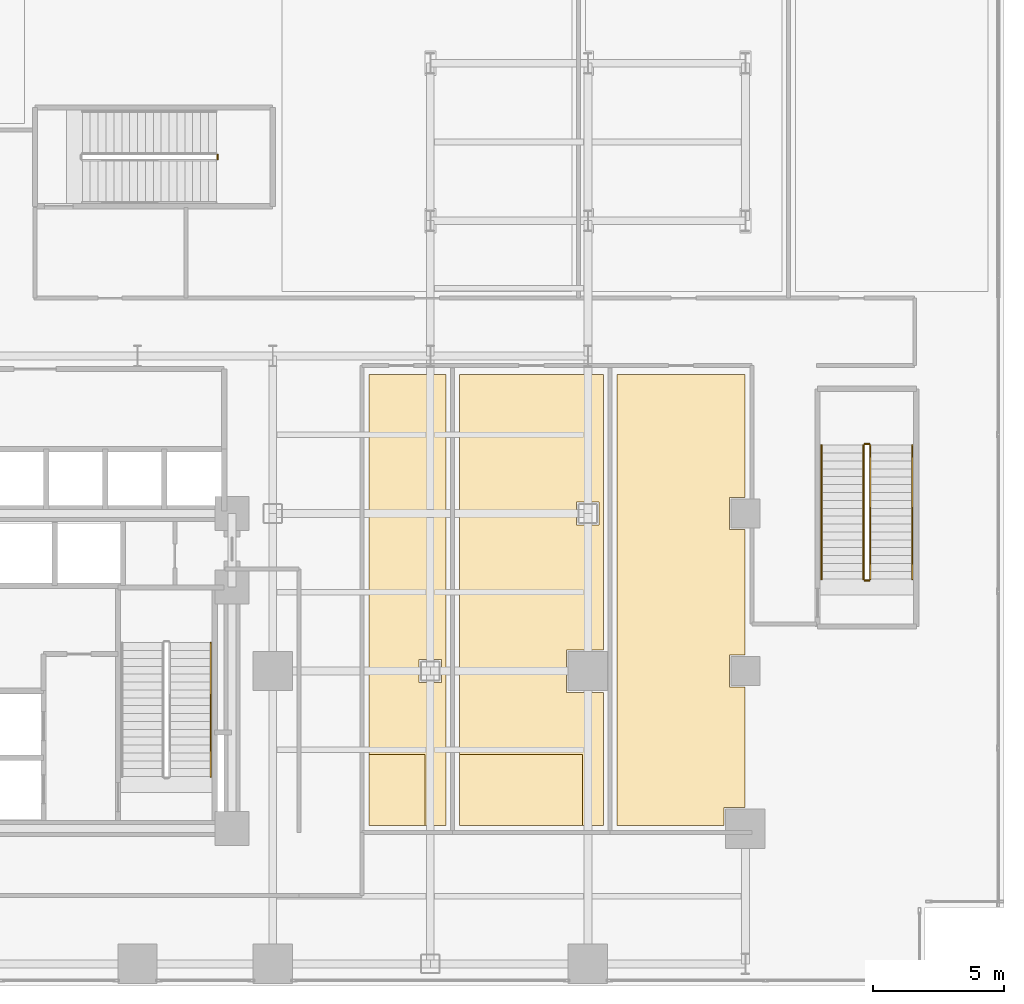
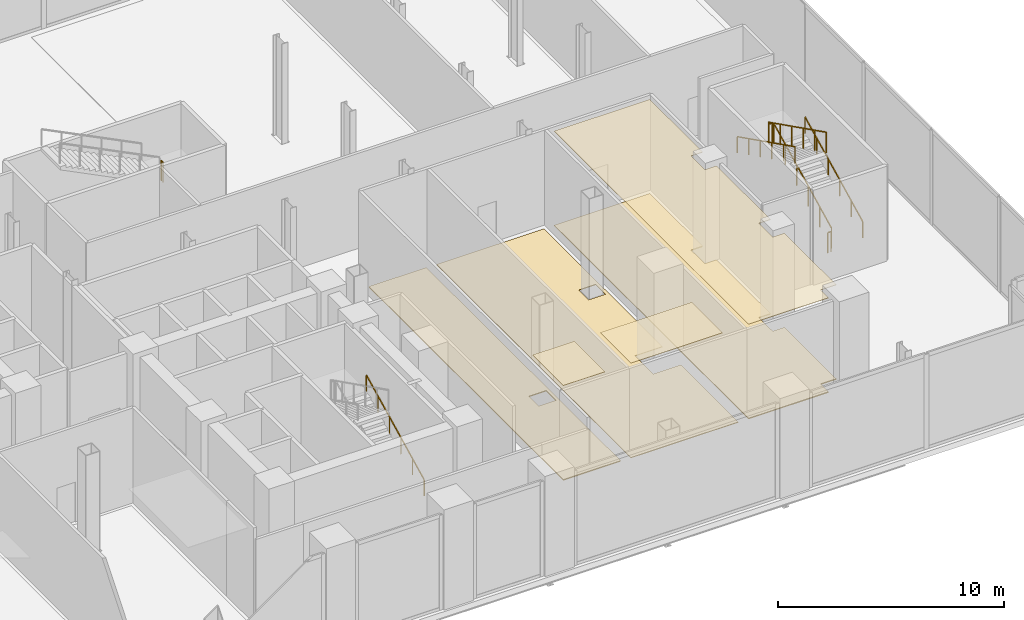
# One storey, part 26 of 27: 8 railings, 6 coverings.
"""IFC4 building model written with IfcOpenShell, lengths in metres."""

from ifc_helpers import new_model, si_unit, direction, frame, origin, origin_2d, place, context, subcontext, project, spatial, polyline, rectangle, outline, extrude, material, layer, layer_set, type_object, element, save


model = new_model("IFC4")

# Units and contexts
model_context = context("Model", 3, precision=1e-05, world=origin(), true_north=direction((0.0, 1.0)))
body_context = subcontext(model_context, "Body", "Model", "MODEL_VIEW")
ifc_project = project(units=[si_unit("LENGTHUNIT", "METRE"), si_unit("AREAUNIT", "SQUARE_METRE"), si_unit("VOLUMEUNIT", "CUBIC_METRE"), si_unit("PLANEANGLEUNIT", "RADIAN"), si_unit("MASSUNIT", "GRAM", prefix="KILO"), si_unit("THERMODYNAMICTEMPERATUREUNIT", "KELVIN"), si_unit("POWERUNIT", "WATT")], contexts=[model_context])

# Site, building, storey
site_placement = place(None, origin())
site = spatial("IfcSite", under=ifc_project, at=site_placement, CompositionType="ELEMENT")
building_placement = place(site_placement, origin())
building = spatial("IfcBuilding", under=site, at=building_placement, Name="Svarakhadi Broadcast Tower", CompositionType="ELEMENT")
storey_placement = place(building_placement, frame((0.0, 0.0, 16.5)))
storey = spatial("IfcBuildingStorey", under=building, at=storey_placement, Name="L03", CompositionType="ELEMENT", Elevation=16.5)

# Coverings
ifc_material_1 = material(Name="Micro-Perforated Mineral Fibre Acoustic Ceiling Tile", Category="mineral_fibre")
ifc_layer_1 = layer(ifc_material_1, 0.02490234375)
ifc_layer_set_1 = layer_set([ifc_layer_1], Name="Micro-Perforated Mineral Fibre Acoustic Ceiling Tile")
covering_type_1 = type_object("IfcCoveringType", Name="Cov_Ceiling_Tile", PredefinedType="CEILING", material=ifc_layer_set_1)
covering_1_placement = place(storey_placement, frame((0.0, 0.0, 5.10009765625)))
element("IfcCovering", 1, at=covering_1_placement, inside=storey, type_object=covering_type_1, Name="L03 L03 Broadcast Newsroom Floor Acoustic Ceiling", PredefinedType="CEILING", context=body_context, shape_type="SweptSolid", body=[
    extrude(outline(polyline([(38.81005859375, 6.110107421875), (38.81005859375, 8.830078125), (40.93994140625, 8.830078125), (40.93994140625, 6.110107421875), (38.81005859375, 6.110107421875)])), origin(), (0.0, 0.0, 1.0), 0.02490234375),
])
covering_2_placement = place(storey_placement, frame((0.0, 0.0, 5.10009765625)))
element("IfcCovering", 2, at=covering_2_placement, inside=storey, type_object=covering_type_1, Name="L03 L03 Production Control Gallery Acoustic Ceiling", PredefinedType="CEILING", context=body_context, shape_type="SweptSolid", body=[
    extrude(outline(polyline([(42.260009765625, 6.110107421875), (42.260009765625, 8.830078125), (46.93994140625, 8.830078125), (46.93994140625, 6.110107421875), (42.260009765625, 6.110107421875)])), origin(), (0.0, 0.0, 1.0), 0.02490234375),
])
covering_3_placement = place(storey_placement, frame((0.0, 0.0, 5.10009765625)))
element("IfcCovering", 3, at=covering_3_placement, inside=storey, type_object=covering_type_1, Name="L03 L03 Broadcast Technical Archive Room Acoustic Ceiling", PredefinedType="CEILING", context=body_context, shape_type="SweptSolid", body=[
    extrude(outline(polyline([(53.139892578125, 23.2900390625), (53.139892578125, 18.610107421875), (52.5400390625, 18.610107421875), (52.5400390625, 17.389892578125), (53.139892578125, 17.389892578125), (53.139892578125, 12.610107421875), (52.5400390625, 12.610107421875), (52.5400390625, 11.389892578125), (53.139892578125, 11.389892578125), (53.139892578125, 6.81005859375), (52.340087890625, 6.81005859375), (52.340087890625, 6.110107421875), (48.260009765625, 6.110107421875), (48.260009765625, 23.2900390625), (53.139892578125, 23.2900390625)])), origin(), (0.0, 0.0, 1.0), 0.02490234375),
])
ifc_material_2 = material(Name="Heavy-Duty Anti-Static Broadcast Raised Access Floor", Category="steel")
ifc_layer_2 = layer(ifc_material_2, 0.050048828125)
ifc_layer_set_2 = layer_set([ifc_layer_2], Name="Heavy-Duty Anti-Static Broadcast Raised Access Floor")
covering_type_2 = type_object("IfcCoveringType", Name="Cov_Floor_Access", PredefinedType="FLOORING", material=ifc_layer_set_2)
covering_4_placement = place(storey_placement, origin())
element("IfcCovering", 4, at=covering_4_placement, inside=storey, type_object=covering_type_2, Name="L03 L03 Broadcast Newsroom Floor Floor Finish", PredefinedType="FLOORING", context=body_context, shape_type="SweptSolid", body=[
    extrude(outline(polyline([(41.739990234375, 23.2900390625), (41.739990234375, 6.110107421875), (38.81005859375, 6.110107421875), (38.81005859375, 23.2900390625), (41.739990234375, 23.2900390625)]), holes=[polyline([(40.715087890625, 11.56494140625), (41.5849609375, 11.56494140625), (41.5849609375, 12.43505859375), (40.715087890625, 12.43505859375), (40.715087890625, 11.56494140625)])]), origin(), (0.0, 0.0, 1.0), 0.050048828125),
])
covering_5_placement = place(storey_placement, origin())
element("IfcCovering", 5, at=covering_5_placement, inside=storey, type_object=covering_type_2, Name="L03 L03 Broadcast Technical Archive Room Floor Finish", PredefinedType="FLOORING", context=body_context, shape_type="SweptSolid", body=[
    extrude(outline(polyline([(53.139892578125, 23.2900390625), (53.139892578125, 18.610107421875), (52.5400390625, 18.610107421875), (52.5400390625, 17.389892578125), (53.139892578125, 17.389892578125), (53.139892578125, 12.610107421875), (52.5400390625, 12.610107421875), (52.5400390625, 11.389892578125), (53.139892578125, 11.389892578125), (53.139892578125, 6.81005859375), (52.340087890625, 6.81005859375), (52.340087890625, 6.110107421875), (48.260009765625, 6.110107421875), (48.260009765625, 23.2900390625), (53.139892578125, 23.2900390625)])), origin(), (0.0, 0.0, 1.0), 0.050048828125),
])
ifc_material_3 = material(Name="Honed Konkan Basalt Stone Tile Flooring", Category="masonry")
ifc_layer_3 = layer(ifc_material_3, 0.034912109375)
ifc_layer_set_3 = layer_set([ifc_layer_3], Name="Honed Konkan Basalt Stone Tile Flooring")
covering_type_3 = type_object("IfcCoveringType", Name="Cov_Floor_Basalt", PredefinedType="FLOORING", material=ifc_layer_set_3)
covering_6_placement = place(storey_placement, origin())
element("IfcCovering", 6, at=covering_6_placement, inside=storey, type_object=covering_type_3, Name="L03 L03 Production Control Gallery Floor Finish", PredefinedType="FLOORING", context=body_context, shape_type="SweptSolid", body=[
    extrude(outline(polyline([(47.739990234375, 23.2900390625), (47.739990234375, 12.81005859375), (46.340087890625, 12.81005859375), (46.340087890625, 11.18994140625), (47.739990234375, 11.18994140625), (47.739990234375, 6.110107421875), (42.260009765625, 6.110107421875), (42.260009765625, 23.2900390625), (47.739990234375, 23.2900390625)]), holes=[polyline([(46.715087890625, 17.56494140625), (47.5849609375, 17.56494140625), (47.5849609375, 18.43505859375), (46.715087890625, 18.43505859375), (46.715087890625, 17.56494140625)])]), origin(), (0.0, 0.0, 1.0), 0.034912109375),
])

# Railings
ifc_material_4 = material(Name="Anodised Bronze Aluminium AA 6063-T6", Category="aluminium")
railing_type_1 = type_object("IfcRailingType", Name="Guard_Stair_GR01", PredefinedType="GUARDRAIL", material=ifc_material_4)
railing_1_placement = place(storey_placement, frame((33.050048828125, 31.5, 2.699951171875)))
element("IfcRailing", 7, at=railing_1_placement, inside=storey, type_object=railing_type_1, Name="L03 ST-03 stair guard 2", PredefinedType="GUARDRAIL", context=body_context, shape_type="SweptSolid", body=[
    extrude(rectangle(XDim=0.048095703125, YDim=0.048095703125, at=origin_2d()), frame((0.0, 0.0, 1.09619140625), z_axis=(0.0, 1.0, 0.0), x_axis=(-1.0, 0.0, 0.0)), (0.0, 0.0, 1.0), 0.159912109375),
    extrude(rectangle(XDim=0.0419921875, YDim=0.0419921875, at=origin_2d()), origin(), (0.0, 0.0, 1.0), 1.072021484375),
    extrude(rectangle(XDim=0.0419921875, YDim=0.0419921875, at=origin_2d()), frame((0.0, 0.159912109375, 0.0)), (0.0, 0.0, 1.0), 1.072021484375),
])
railing_2_placement = place(storey_placement, frame((57.909912109375, 15.5, 0.14990234375)))
element("IfcRailing", 8, at=railing_2_placement, inside=storey, type_object=railing_type_1, Name="L03 ST-04 stair guard 1", PredefinedType="GUARDRAIL", context=body_context, shape_type="SweptSolid", body=[
    extrude(rectangle(XDim=0.048095703125, YDim=0.048095703125, at=origin_2d()), frame((0.0, 0.0, 1.09619140625), z_axis=(0.0, 0.894427191, 0.4472135955), x_axis=(-1.0, 0.0, 0.0)), (0.0, 0.0, 1.0), 5.7021484375),
    extrude(rectangle(XDim=0.0419921875, YDim=0.0419921875, at=origin_2d()), origin(), (0.0, 0.0, 1.0), 1.072021484375),
    extrude(rectangle(XDim=0.0419921875, YDim=0.0419921875, at=origin_2d()), frame((0.0, 1.02001953125, 0.510009765625)), (0.0, 0.0, 1.0), 1.072021484375),
    extrude(rectangle(XDim=0.0419921875, YDim=0.0419921875, at=origin_2d()), frame((0.0, 2.0400390625, 1.02001953125)), (0.0, 0.0, 1.0), 1.072021484375),
    extrude(rectangle(XDim=0.0419921875, YDim=0.0419921875, at=origin_2d()), frame((0.0, 3.06005859375, 1.530029296875)), (0.0, 0.0, 1.0), 1.072021484375),
    extrude(rectangle(XDim=0.0419921875, YDim=0.0419921875, at=origin_2d()), frame((0.0, 4.080078125, 2.0400390625)), (0.0, 0.0, 1.0), 1.072021484375),
    extrude(rectangle(XDim=0.0419921875, YDim=0.0419921875, at=origin_2d()), frame((0.0, 5.10009765625, 2.550048828125)), (0.0, 0.0, 1.0), 1.072021484375),
])
railing_3_placement = place(storey_placement, frame((57.860107421875, 20.64990234375, 2.699951171875)))
element("IfcRailing", 9, at=railing_3_placement, inside=storey, type_object=railing_type_1, Name="L03 ST-04 stair guard 2", PredefinedType="GUARDRAIL", context=body_context, shape_type="SweptSolid", body=[
    extrude(rectangle(XDim=0.048095703125, YDim=0.048095703125, at=origin_2d()), frame((0.0, 0.0, 1.09619140625), z_axis=(-1.0, 0.0, 0.0), x_axis=(0.0, -1.0, 0.0)), (0.0, 0.0, 1.0), 0.16015625),
    extrude(rectangle(XDim=0.0419921875, YDim=0.0419921875, at=origin_2d()), origin(), (0.0, 0.0, 1.0), 1.072021484375),
    extrude(rectangle(XDim=0.0419921875, YDim=0.0419921875, at=origin_2d()), frame((-0.16015625, 0.0, 0.0)), (0.0, 0.0, 1.0), 1.072021484375),
])
railing_4_placement = place(storey_placement, frame((57.64990234375, 20.60009765625, 2.85009765625)))
element("IfcRailing", 10, at=railing_4_placement, inside=storey, type_object=railing_type_1, Name="L03 ST-04 stair guard 3", PredefinedType="GUARDRAIL", context=body_context, shape_type="SweptSolid", body=[
    extrude(rectangle(XDim=0.048095703125, YDim=0.048095703125, at=origin_2d()), frame((0.0, 0.0, 1.09619140625), z_axis=(0.0, -0.89444431709, 0.44717934168), x_axis=(1.0, 0.0, 0.0)), (0.0, 0.0, 1.0), 5.701904296875),
    extrude(rectangle(XDim=0.0419921875, YDim=0.0419921875, at=origin_2d()), origin(), (0.0, 0.0, 1.0), 1.072021484375),
    extrude(rectangle(XDim=0.0419921875, YDim=0.0419921875, at=origin_2d()), frame((0.0, -1.02001953125, 0.510009765625)), (0.0, 0.0, 1.0), 1.072021484375),
    extrude(rectangle(XDim=0.0419921875, YDim=0.0419921875, at=origin_2d()), frame((0.0, -2.0400390625, 1.02001953125)), (0.0, 0.0, 1.0), 1.072021484375),
    extrude(rectangle(XDim=0.0419921875, YDim=0.0419921875, at=origin_2d()), frame((0.0, -3.06005859375, 1.52978515625)), (0.0, 0.0, 1.0), 1.072021484375),
    extrude(rectangle(XDim=0.0419921875, YDim=0.0419921875, at=origin_2d()), frame((0.0, -4.080078125, 2.039794921875)), (0.0, 0.0, 1.0), 1.072021484375),
    extrude(rectangle(XDim=0.0419921875, YDim=0.0419921875, at=origin_2d()), frame((0.0, -5.10009765625, 2.5498046875)), (0.0, 0.0, 1.0), 1.072021484375),
])
railing_5_placement = place(storey_placement, frame((57.860107421875, 15.449951171875, 0.0)))
element("IfcRailing", 11, at=railing_5_placement, inside=storey, type_object=railing_type_1, Name="L03 ST-04 stair guard 4", PredefinedType="GUARDRAIL", context=body_context, shape_type="SweptSolid", body=[
    extrude(rectangle(XDim=0.048095703125, YDim=0.048095703125, at=origin_2d()), frame((0.0, 0.0, 1.09619140625), z_axis=(-1.0, 0.0, 0.0), x_axis=(0.0, -1.0, 0.0)), (0.0, 0.0, 1.0), 0.16015625),
    extrude(rectangle(XDim=0.0419921875, YDim=0.0419921875, at=origin_2d()), origin(), (0.0, 0.0, 1.0), 1.072021484375),
    extrude(rectangle(XDim=0.0419921875, YDim=0.0419921875, at=origin_2d()), frame((-0.16015625, 0.0, 0.0)), (0.0, 0.0, 1.0), 1.072021484375),
])
railing_type_2 = type_object("IfcRailingType", Name="Handrail_Stair_HR01", PredefinedType="HANDRAIL", material=ifc_material_4)
for number, where, name in (
    (12, (32.7900390625, 7.97998046875, 0.14990234375), "L03 ST-02 stair handrail 1"),
    (13, (59.510009765625, 15.5, 0.14990234375), "L03 ST-04 stair handrail 1"),
):
    element("IfcRailing", number, at=place(storey_placement, frame(where)), inside=storey, type_object=railing_type_2, Name=name, PredefinedType="HANDRAIL", context=body_context, shape_type="SweptSolid", body=[
        extrude(rectangle(XDim=0.048095703125, YDim=0.048095703125, at=origin_2d()), frame((0.0, 0.0, 0.8759765625), z_axis=(0.0, 0.894427191, 0.4472135955), x_axis=(-1.0, 0.0, 0.0)), (0.0, 0.0, 1.0), 5.7021484375),
        extrude(rectangle(XDim=0.0419921875, YDim=0.0419921875, at=origin_2d()), origin(), (0.0, 0.0, 1.0), 0.851806640625),
        extrude(rectangle(XDim=0.0419921875, YDim=0.0419921875, at=origin_2d()), frame((0.0, 1.02001953125, 0.510009765625)), (0.0, 0.0, 1.0), 0.851806640625),
        extrude(rectangle(XDim=0.0419921875, YDim=0.0419921875, at=origin_2d()), frame((0.0, 2.0400390625, 1.02001953125)), (0.0, 0.0, 1.0), 0.851806640625),
        extrude(rectangle(XDim=0.0419921875, YDim=0.0419921875, at=origin_2d()), frame((0.0, 3.06005859375, 1.530029296875)), (0.0, 0.0, 1.0), 0.851806640625),
        extrude(rectangle(XDim=0.0419921875, YDim=0.0419921875, at=origin_2d()), frame((0.0, 4.080078125, 2.0400390625)), (0.0, 0.0, 1.0), 0.851806640625),
        extrude(rectangle(XDim=0.0419921875, YDim=0.0419921875, at=origin_2d()), frame((0.0, 5.10009765625, 2.550048828125)), (0.0, 0.0, 1.0), 0.851806640625),
    ])
railing_6_placement = place(storey_placement, frame((56.050048828125, 20.60009765625, 2.85009765625)))
element("IfcRailing", 14, at=railing_6_placement, inside=storey, type_object=railing_type_2, Name="L03 ST-04 stair handrail 2", PredefinedType="HANDRAIL", context=body_context, shape_type="SweptSolid", body=[
    extrude(rectangle(XDim=0.048095703125, YDim=0.048095703125, at=origin_2d()), frame((0.0, 0.0, 0.8759765625), z_axis=(0.0, -0.89444431709, 0.44717934168), x_axis=(1.0, 0.0, 0.0)), (0.0, 0.0, 1.0), 5.701904296875),
    extrude(rectangle(XDim=0.0419921875, YDim=0.0419921875, at=origin_2d()), origin(), (0.0, 0.0, 1.0), 0.851806640625),
    extrude(rectangle(XDim=0.0419921875, YDim=0.0419921875, at=origin_2d()), frame((0.0, -1.02001953125, 0.510009765625)), (0.0, 0.0, 1.0), 0.851806640625),
    extrude(rectangle(XDim=0.0419921875, YDim=0.0419921875, at=origin_2d()), frame((0.0, -2.0400390625, 1.02001953125)), (0.0, 0.0, 1.0), 0.851806640625),
    extrude(rectangle(XDim=0.0419921875, YDim=0.0419921875, at=origin_2d()), frame((0.0, -3.06005859375, 1.52978515625)), (0.0, 0.0, 1.0), 0.851806640625),
    extrude(rectangle(XDim=0.0419921875, YDim=0.0419921875, at=origin_2d()), frame((0.0, -4.080078125, 2.039794921875)), (0.0, 0.0, 1.0), 0.851806640625),
    extrude(rectangle(XDim=0.0419921875, YDim=0.0419921875, at=origin_2d()), frame((0.0, -5.10009765625, 2.5498046875)), (0.0, 0.0, 1.0), 0.851806640625),
])

save(model, "model.ifc")
